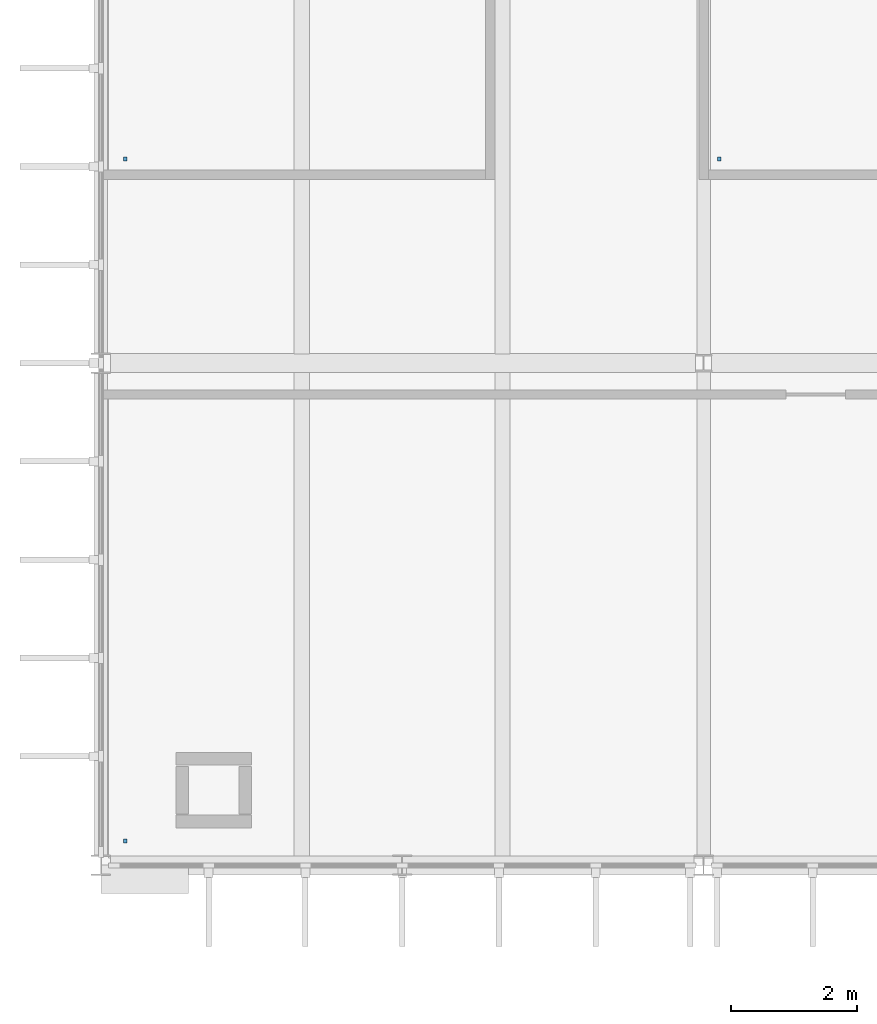
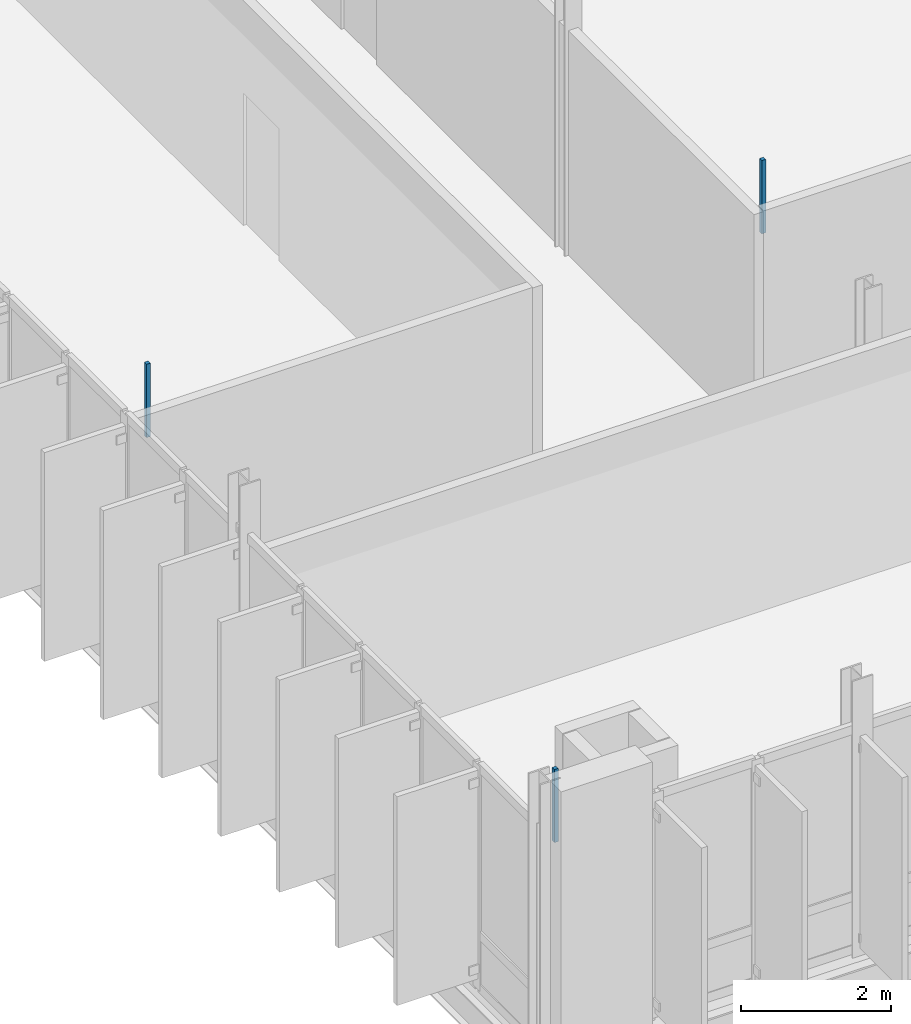
# One storey, part 25 of 41: 3 discrete accessories.
"""IFC4 building model written with IfcOpenShell, lengths in metres."""

from ifc_helpers import new_model, si_unit, direction, frame, origin, place, context, subcontext, project, spatial, polyline, outline, extrude, material, type_object, element, save


model = new_model("IFC4")

# Units and contexts
model_context = context("Model", 3, precision=1e-05, world=origin(), true_north=direction((0.0, 1.0)))
body_context = subcontext(model_context, "Body", "Model", "MODEL_VIEW")
ifc_project = project(units=[si_unit("LENGTHUNIT", "METRE"), si_unit("AREAUNIT", "SQUARE_METRE"), si_unit("VOLUMEUNIT", "CUBIC_METRE"), si_unit("PLANEANGLEUNIT", "RADIAN"), si_unit("MASSUNIT", "GRAM", prefix="KILO")], contexts=[model_context])

# Site, building, storey
site_placement = place(None, origin())
site = spatial("IfcSite", under=ifc_project, at=site_placement, CompositionType="ELEMENT")
building_placement = place(site_placement, origin())
building = spatial("IfcBuilding", under=site, at=building_placement, Name="Dunescarp Central Library", CompositionType="ELEMENT")
storey_placement = place(building_placement, frame((0.0, 0.0, 23.10009765625)))
storey = spatial("IfcBuildingStorey", under=building, at=storey_placement, Name="L05", CompositionType="ELEMENT", Elevation=23.10009765625)

# Discrete accessories
ifc_material = material(Name="Stainless steel Grade 316L", Category="steel")
discrete_accessory_type = type_object("IfcDiscreteAccessoryType", Name="ARC-ACC-BRK", PredefinedType="BRACKET", material=ifc_material)
discrete_accessory_1_placement = place(storey_placement, frame((0.0, 0.0, 3.059814453125)))
element("IfcDiscreteAccessory", 1, at=discrete_accessory_1_placement, inside=storey, type_object=discrete_accessory_type, Name="L05 ceiling hanger CLG-L05-038-H1", PredefinedType="BRACKET", context=body_context, shape_type="SweptSolid", body=[
    extrude(outline(polyline([(0.360107421875, 5.159912109375), (0.419921875, 5.159912109375), (0.419921875, 5.219970703125), (0.360107421875, 5.219970703125), (0.360107421875, 5.159912109375)])), origin(), (0.0, 0.0, 1.0), 1.190185546875),
])
discrete_accessory_2_placement = place(storey_placement, frame((0.0, 0.0, 3.059814453125)))
element("IfcDiscreteAccessory", 2, at=discrete_accessory_2_placement, inside=storey, type_object=discrete_accessory_type, Name="L05 ceiling hanger CLG-L05-039-H1", PredefinedType="BRACKET", context=body_context, shape_type="SweptSolid", body=[
    extrude(outline(polyline([(0.360107421875, 16.02001953125), (0.419921875, 16.02001953125), (0.419921875, 16.080078125), (0.360107421875, 16.080078125), (0.360107421875, 16.02001953125)])), origin(), (0.0, 0.0, 1.0), 1.190185546875),
])
discrete_accessory_3_placement = place(storey_placement, frame((0.0, 0.0, 3.059814453125)))
element("IfcDiscreteAccessory", 3, at=discrete_accessory_3_placement, inside=storey, type_object=discrete_accessory_type, Name="L05 ceiling hanger CLG-L05-040-H1", PredefinedType="BRACKET", context=body_context, shape_type="SweptSolid", body=[
    extrude(outline(polyline([(9.820068359375, 16.02001953125), (9.8798828125, 16.02001953125), (9.8798828125, 16.080078125), (9.820068359375, 16.080078125), (9.820068359375, 16.02001953125)])), origin(), (0.0, 0.0, 1.0), 1.190185546875),
])

save(model, "model.ifc")
